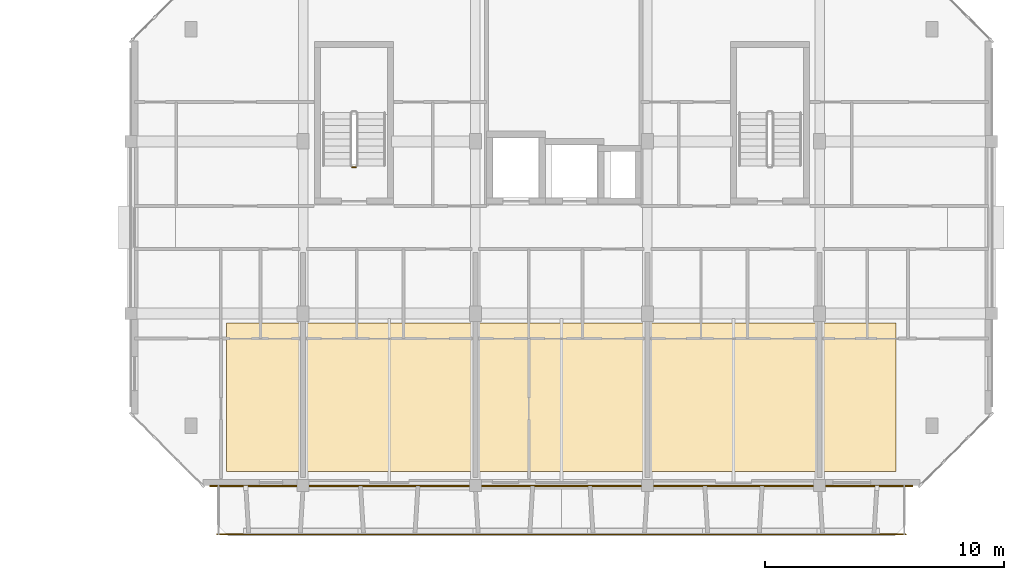
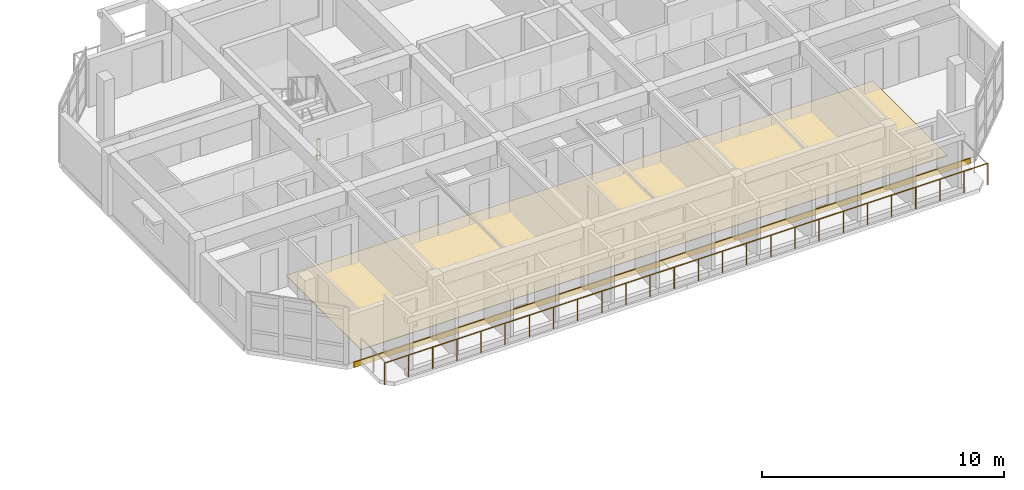
# One storey, part 36 of 40: 2 coverings, 2 railings.
"""IFC4 building model written with IfcOpenShell, lengths in metres."""

from ifc_helpers import new_model, si_unit, direction, frame, origin, origin_2d, place, context, subcontext, project, spatial, polyline, rectangle, circle, outline, extrude, material, layer, layer_set, type_object, element, save


model = new_model("IFC4")

# Units and contexts
model_context = context("Model", 3, precision=1e-05, world=origin(), true_north=direction((0.0, 1.0)))
body_context = subcontext(model_context, "Body", "Model", "MODEL_VIEW")
ifc_project = project(units=[si_unit("LENGTHUNIT", "METRE"), si_unit("AREAUNIT", "SQUARE_METRE"), si_unit("VOLUMEUNIT", "CUBIC_METRE"), si_unit("PLANEANGLEUNIT", "RADIAN"), si_unit("MASSUNIT", "GRAM", prefix="KILO")], contexts=[model_context])

# Site, building, storey
site_placement = place(None, origin())
site = spatial("IfcSite", under=ifc_project, at=site_placement, CompositionType="ELEMENT")
building_placement = place(site_placement, origin())
building = spatial("IfcBuilding", under=site, at=building_placement, Name="Ochrevale Crest", CompositionType="ELEMENT")
storey_placement = place(building_placement, frame((0.0, 0.0, 27.60009765625)))
storey = spatial("IfcBuildingStorey", under=building, at=storey_placement, Name="L08", CompositionType="ELEMENT", Elevation=27.60009765625)

# Coverings
ifc_material_1 = material(Name="Glazed terracotta rainscreen tile", Category="masonry")
ifc_layer_1 = layer(ifc_material_1, 0.048095703125)
ifc_layer_set_1 = layer_set([ifc_layer_1], Name="Glazed terracotta rainscreen tile")
covering_type_1 = type_object("IfcCoveringType", Name="COV-CLAD-TER", PredefinedType="CLADDING", material=ifc_layer_set_1)
covering_1_placement = place(storey_placement, frame((147.60009765625, 14.387451171875, -0.26025390625), z_axis=(0.0, 0.0, 1.0), x_axis=(1.0, 0.0, 0.0)))
element("IfcCovering", 1, at=covering_1_placement, inside=storey, type_object=covering_type_1, Name="Block C L08 terracotta slab-edge spandrel cladding", PredefinedType="CLADDING", context=body_context, shape_type="SweptSolid", body=[
    extrude(rectangle(XDim=29.39990234375, YDim=0.06005859375, at=origin_2d()), origin(), (0.0, 0.0, 1.0), 0.280029296875),
])
ifc_material_2 = material(Name="Engineered spotted-gum hardwood flooring", Category="wood")
ifc_layer_2 = layer(ifc_material_2, 0.02001953125)
ifc_layer_set_2 = layer_set([ifc_layer_2], Name="Engineered spotted-gum hardwood flooring")
covering_type_2 = type_object("IfcCoveringType", Name="COV-FLR-TIM", PredefinedType="FLOORING", material=ifc_layer_set_2)
covering_2_placement = place(storey_placement, origin())
element("IfcCovering", 2, at=covering_2_placement, inside=storey, type_object=covering_type_2, Name="Block C L08 spotted-gum apartment flooring", PredefinedType="FLOORING", context=body_context, shape_type="SweptSolid", body=[
    extrude(outline(polyline([(133.60009765625, 15.0), (161.60009765625, 15.0), (161.60009765625, 21.199951171875), (133.60009765625, 21.199951171875), (133.60009765625, 15.0)])), origin(), (0.0, 0.0, 1.0), 0.02001953125),
])

# Railings
ifc_material_3 = material(Name="Galvanised steel", Category="steel")
railing_type_1 = type_object("IfcRailingType", Name="RL-BAL-1100", PredefinedType="BALUSTRADE", material=ifc_material_3)
railing_1_placement = place(storey_placement, frame((133.199951171875, 12.360107421875, 0.0)))
element("IfcRailing", 3, at=railing_1_placement, inside=storey, type_object=railing_type_1, Name="Block C L08 S balcony front balustrade", PredefinedType="BALUSTRADE", context=body_context, shape_type="SweptSolid", body=[
    extrude(circle(Radius=0.02392578125, at=origin_2d()), frame((0.0, 0.0, 1.0859375), z_axis=(1.0, 0.0, 0.0), x_axis=(0.0, 1.0, 0.0)), (0.0, 0.0, 1.0), 28.800048828125),
    extrude(circle(Radius=0.02099609375, at=origin_2d()), origin(), (0.0, 0.0, 1.0), 1.06201171875),
    extrude(circle(Radius=0.02099609375, at=origin_2d()), frame((1.152099609375, 0.0, 0.0)), (0.0, 0.0, 1.0), 1.06201171875),
    extrude(circle(Radius=0.02099609375, at=origin_2d()), frame((2.303955078125, 0.0, 0.0)), (0.0, 0.0, 1.0), 1.06201171875),
    extrude(circle(Radius=0.02099609375, at=origin_2d()), frame((3.4560546875, 0.0, 0.0)), (0.0, 0.0, 1.0), 1.06201171875),
    extrude(circle(Radius=0.02099609375, at=origin_2d()), frame((4.60791015625, 0.0, 0.0)), (0.0, 0.0, 1.0), 1.06201171875),
    extrude(circle(Radius=0.02099609375, at=origin_2d()), frame((5.760009765625, 0.0, 0.0)), (0.0, 0.0, 1.0), 1.06201171875),
    extrude(circle(Radius=0.02099609375, at=origin_2d()), frame((6.912109375, 0.0, 0.0)), (0.0, 0.0, 1.0), 1.06201171875),
    extrude(circle(Radius=0.02099609375, at=origin_2d()), frame((8.06396484375, 0.0, 0.0)), (0.0, 0.0, 1.0), 1.06201171875),
    extrude(circle(Radius=0.02099609375, at=origin_2d()), frame((9.216064453125, 0.0, 0.0)), (0.0, 0.0, 1.0), 1.06201171875),
    extrude(circle(Radius=0.02099609375, at=origin_2d()), frame((10.367919921875, 0.0, 0.0)), (0.0, 0.0, 1.0), 1.06201171875),
    extrude(circle(Radius=0.02099609375, at=origin_2d()), frame((11.52001953125, 0.0, 0.0)), (0.0, 0.0, 1.0), 1.06201171875),
    extrude(circle(Radius=0.02099609375, at=origin_2d()), frame((12.672119140625, 0.0, 0.0)), (0.0, 0.0, 1.0), 1.06201171875),
    extrude(circle(Radius=0.02099609375, at=origin_2d()), frame((13.823974609375, 0.0, 0.0)), (0.0, 0.0, 1.0), 1.06201171875),
    extrude(circle(Radius=0.02099609375, at=origin_2d()), frame((14.97607421875, 0.0, 0.0)), (0.0, 0.0, 1.0), 1.06201171875),
    extrude(circle(Radius=0.02099609375, at=origin_2d()), frame((16.1279296875, 0.0, 0.0)), (0.0, 0.0, 1.0), 1.06201171875),
    extrude(circle(Radius=0.02099609375, at=origin_2d()), frame((17.280029296875, 0.0, 0.0)), (0.0, 0.0, 1.0), 1.06201171875),
    extrude(circle(Radius=0.02099609375, at=origin_2d()), frame((18.43212890625, 0.0, 0.0)), (0.0, 0.0, 1.0), 1.06201171875),
    extrude(circle(Radius=0.02099609375, at=origin_2d()), frame((19.583984375, 0.0, 0.0)), (0.0, 0.0, 1.0), 1.06201171875),
    extrude(circle(Radius=0.02099609375, at=origin_2d()), frame((20.736083984375, 0.0, 0.0)), (0.0, 0.0, 1.0), 1.06201171875),
    extrude(circle(Radius=0.02099609375, at=origin_2d()), frame((21.887939453125, 0.0, 0.0)), (0.0, 0.0, 1.0), 1.06201171875),
    extrude(circle(Radius=0.02099609375, at=origin_2d()), frame((23.0400390625, 0.0, 0.0)), (0.0, 0.0, 1.0), 1.06201171875),
    extrude(circle(Radius=0.02099609375, at=origin_2d()), frame((24.192138671875, 0.0, 0.0)), (0.0, 0.0, 1.0), 1.06201171875),
    extrude(circle(Radius=0.02099609375, at=origin_2d()), frame((25.343994140625, 0.0, 0.0)), (0.0, 0.0, 1.0), 1.06201171875),
    extrude(circle(Radius=0.02099609375, at=origin_2d()), frame((26.49609375, 0.0, 0.0)), (0.0, 0.0, 1.0), 1.06201171875),
    extrude(circle(Radius=0.02099609375, at=origin_2d()), frame((27.64794921875, 0.0, 0.0)), (0.0, 0.0, 1.0), 1.06201171875),
    extrude(circle(Radius=0.02099609375, at=origin_2d()), frame((28.800048828125, 0.0, 0.0)), (0.0, 0.0, 1.0), 1.06201171875),
])
railing_type_2 = type_object("IfcRailingType", Name="RL-ST-GUARD", PredefinedType="BALUSTRADE", material=ifc_material_3)
railing_2_placement = place(storey_placement, frame((139.0, 27.72509765625, 0.0)))
element("IfcRailing", 4, at=railing_2_placement, inside=storey, type_object=railing_type_2, Name="L08 ST-C1 stair guard 4", PredefinedType="BALUSTRADE", context=body_context, shape_type="SweptSolid", body=[
    extrude(circle(Radius=0.02392578125, at=origin_2d()), frame((0.0, 0.0, 1.076171875), z_axis=(-1.0, 0.0, 0.0), x_axis=(0.0, -1.0, 0.0)), (0.0, 0.0, 1.0), 0.14990234375),
    extrude(circle(Radius=0.02099609375, at=origin_2d()), origin(), (0.0, 0.0, 1.0), 1.052001953125),
    extrude(circle(Radius=0.02099609375, at=origin_2d()), frame((-0.14990234375, 0.0, 0.0)), (0.0, 0.0, 1.0), 1.052001953125),
])

save(model, "model.ifc")
